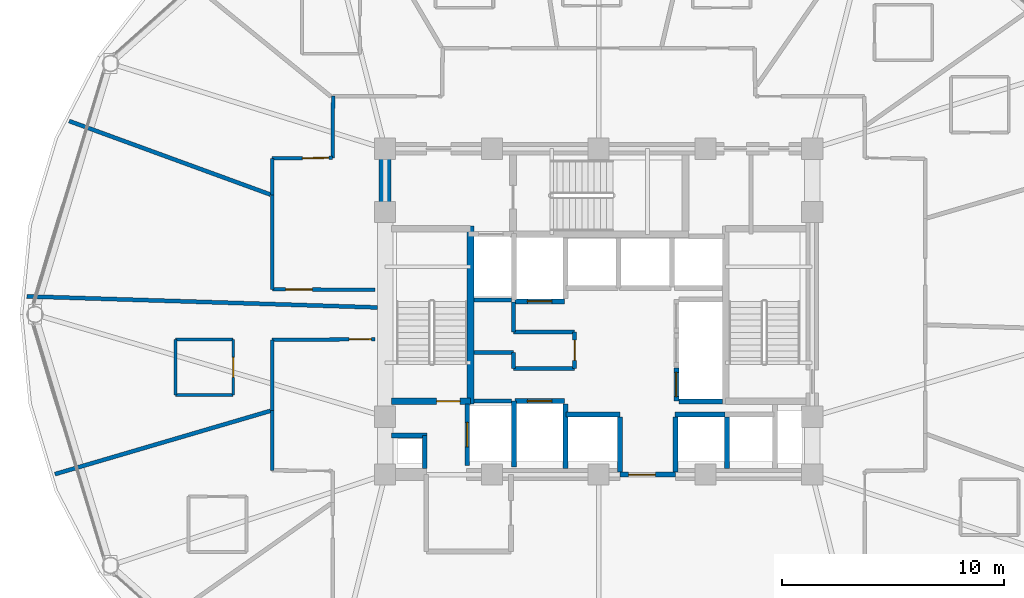
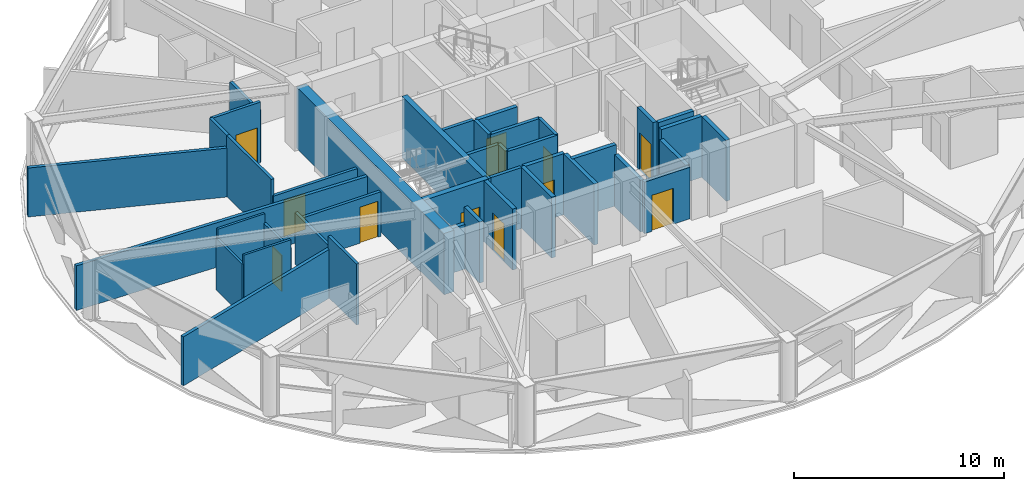
# One storey, part 24 of 31: 41 walls, 11 doors, 11 openings.
"""IFC4 building model written with IfcOpenShell, lengths in metres."""

from ifc_helpers import new_model, si_unit, direction, frame, frame_2d, origin, place, context, subcontext, project, spatial, rectangle, extrude, material, layer, layer_set, type_object, element, fill, save


model = new_model("IFC4")

# Units and contexts
model_context = context("Model", 3, precision=1e-05, world=origin(), true_north=direction((0.0, 1.0)))
body_context = subcontext(model_context, "Body", "Model", "MODEL_VIEW")
ifc_project = project(units=[si_unit("LENGTHUNIT", "METRE"), si_unit("AREAUNIT", "SQUARE_METRE"), si_unit("VOLUMEUNIT", "CUBIC_METRE"), si_unit("PLANEANGLEUNIT", "RADIAN"), si_unit("MASSUNIT", "GRAM", prefix="KILO")], contexts=[model_context])

# Site, building, storey
site_placement = place(None, origin())
site = spatial("IfcSite", under=ifc_project, at=site_placement, CompositionType="ELEMENT")
building_placement = place(site_placement, origin())
building = spatial("IfcBuilding", under=site, at=building_placement, Name="Vantalir Tower", CompositionType="ELEMENT")
storey_placement = place(building_placement, frame((0.0, 0.0, 115.949951171875)))
storey = spatial("IfcBuildingStorey", under=building, at=storey_placement, Name="L28", CompositionType="ELEMENT", Elevation=115.949951171875)

# Walls
ifc_material_1 = material(Name="Moisture-resistant en-suite partition", Category="gypsum")
ifc_layer_1 = layer(ifc_material_1, 0.125)
ifc_layer_set_1 = layer_set([ifc_layer_1], Name="Moisture-resistant en-suite partition")
wall_type_1 = type_object("IfcWallType", Name="WL-BATH-125", PredefinedType="PARTITIONING", material=ifc_layer_set_1)
for number, where, z_axis, x_axis, name in (
    (1, (12.469970703125, 21.3740234375, 0.0), (0.0, 0.0, 1.0), (1.0, 0.0, 0.0), "L28 En-suite 09 South Wall"),
    (2, (12.469970703125, 23.8740234375, 0.0), (0.0, 0.0, 1.0), (1.0, 0.0, 0.0), "L28 En-suite 09 North Wall"),
):
    element("IfcWall", number, at=place(storey_placement, frame(where, z_axis=z_axis, x_axis=x_axis)), inside=storey, type_object=wall_type_1, Name=name, PredefinedType="PARTITIONING", context=body_context, shape_type="SweptSolid", body=[
        extrude(rectangle(XDim=2.60009765625, YDim=0.125, at=frame_2d((1.300048828125, 0.0))), origin(), (0.0, 0.0, 1.0), 3.550048828125),
    ])
wall_1_placement = place(storey_placement, frame((12.469970703125, 21.3740234375, 0.0), z_axis=(0.0, 0.0, 1.0), x_axis=(0.0, 1.0, 0.0)))
element("IfcWall", 3, at=wall_1_placement, inside=storey, type_object=wall_type_1, Name="L28 En-suite 09 West Wall", PredefinedType="PARTITIONING", context=body_context, shape_type="SweptSolid", body=[
    extrude(rectangle(XDim=2.5, YDim=0.125, at=frame_2d((1.25, 0.0))), origin(), (0.0, 0.0, 1.0), 3.006103515625),
])

# Wall, opening, door
wall_2_placement = place(storey_placement, frame((15.070068359375, 21.3740234375, 0.0), z_axis=(0.0, 0.0, 1.0), x_axis=(0.0, 1.0, 0.0)))
wall_2 = element("IfcWall", 4, at=wall_2_placement, inside=storey, type_object=wall_type_1, Name="L28 En-suite 09 East Wall", PredefinedType="PARTITIONING", context=body_context, shape_type="SweptSolid", body=[
    extrude(rectangle(XDim=2.5, YDim=0.125, at=frame_2d((1.25, 0.0))), origin(), (0.0, 0.0, 1.0), 3.006103515625),
])
opening_1_placement = place(wall_2_placement, frame((0.800048828125, 0.0, 0.0)))
opening_1 = element("IfcOpeningElement", 5, at=opening_1_placement, cuts=wall_2, Name="Opening D-WC", PredefinedType="OPENING", context=body_context, shape_type="SweptSolid", body=[
    extrude(rectangle(XDim=0.89990234375, YDim=2.10009765625, at=frame_2d((0.449951171875, 1.050048828125))), frame((0.0, 0.072509765625, 0.0), z_axis=(0.0, -1.0, 0.0), x_axis=(1.0, 0.0, 0.0)), (0.0, 0.0, 1.0), 0.14501953125),
])
ifc_material_2 = material(Name="Moisture-resistant hardwood door", Category="wood")
door_type_1 = type_object("IfcDoorType", Name="DR-ENSUITE-900", OperationType="NOTDEFINED", PredefinedType="DOOR", material=ifc_material_2)
door_1_placement = place(opening_1_placement, origin())
door_1 = element("IfcDoor", 6, at=door_1_placement, inside=storey, type_object=door_type_1, Name="L28 En-suite 09 Door", OperationType="SINGLE_SWING_RIGHT", OverallHeight=2.10009765625, OverallWidth=0.89990234375, PredefinedType="DOOR", context=body_context, shape_type="SweptSolid", body=[
    extrude(rectangle(XDim=0.89990234375, YDim=2.10009765625, at=frame_2d((0.449951171875, 1.050048828125))), frame((0.0, 0.02490234375, 0.0), z_axis=(0.0, -1.0, 0.0), x_axis=(1.0, 0.0, 0.0)), (0.0, 0.0, 1.0), 0.050048828125),
])
fill(opening_1, door_1)

# Wall
ifc_material_3 = material(Name="Concrete C60/75", Category="concrete")
ifc_layer_2 = layer(ifc_material_3, 0.550048828125)
ifc_layer_set_2 = layer_set([ifc_layer_2], Name="Concrete C60/75")
wall_type_2 = type_object("IfcWallType", Name="WL-CORE-550", PredefinedType="SHEAR", material=ifc_layer_set_2)
wall_3_placement = place(storey_placement, frame((21.89990234375, 18.074951171875, 0.0), z_axis=(0.0, 0.0, 1.0), x_axis=(0.0, 1.0, 0.0)))
element("IfcWall", 7, at=wall_3_placement, inside=storey, type_object=wall_type_2, Name="L28 Core Shear Wall West", PredefinedType="SHEAR", context=body_context, shape_type="SweptSolid", body=[
    extrude(rectangle(XDim=14.10009765625, YDim=0.550048828125, at=frame_2d((7.050048828125, 0.0))), origin(), (0.0, 0.0, 1.0), 3.570068359375),
])

# Wall, opening, door
ifc_material_4 = material(Name="Fire-rated hotel corridor acoustic partition", Category="gypsum")
ifc_layer_3 = layer(ifc_material_4, 0.159912109375)
ifc_layer_set_3 = layer_set([ifc_layer_3], Name="Fire-rated hotel corridor acoustic partition")
wall_type_3 = type_object("IfcWallType", Name="WL-CORR-160", PredefinedType="PARTITIONING", material=ifc_layer_set_3)
wall_4_placement = place(storey_placement, frame((21.445068359375, 26.114990234375, 0.0), z_axis=(0.0, 0.0, 1.0), x_axis=(-0.999997648793, 0.002168503919, 0.0)))
wall_4 = element("IfcWall", 8, at=wall_4_placement, inside=storey, type_object=wall_type_3, Name="L28 Corridor Partition 01", PredefinedType="PARTITIONING", context=body_context, shape_type="SweptSolid", body=[
    extrude(rectangle(XDim=4.615966796875, YDim=0.159912109375, at=frame_2d((2.30810546875, 0.0))), origin(), (0.0, 0.0, 1.0), 2.594970703125),
])
opening_2_placement = place(wall_4_placement, frame((2.81396484375, 0.0, 0.0)))
opening_2 = element("IfcOpeningElement", 9, at=opening_2_placement, cuts=wall_4, Name="Opening D-STE", PredefinedType="OPENING", context=body_context, shape_type="SweptSolid", body=[
    extrude(rectangle(XDim=1.199951171875, YDim=2.10009765625, at=frame_2d((0.60009765625, 1.050048828125))), frame((0.0, 0.08984375, 0.0), z_axis=(0.0, -1.0, 0.0), x_axis=(1.0, 0.0, 0.0)), (0.0, 0.0, 1.0), 0.179931640625),
])
ifc_material_5 = material(Name="Solid-core teak veneer suite entrance door", Category="wood")
door_type_2 = type_object("IfcDoorType", Name="DR-SUITE-ENTRY-1200", OperationType="NOTDEFINED", PredefinedType="DOOR", material=ifc_material_5)
door_2_placement = place(opening_2_placement, origin())
door_2 = element("IfcDoor", 10, at=door_2_placement, inside=storey, type_object=door_type_2, Name="L28 Executive Sky Boardroom 08 Door", OperationType="SINGLE_SWING_LEFT", OverallHeight=2.10009765625, OverallWidth=1.199951171875, PredefinedType="DOOR", context=body_context, shape_type="SweptSolid", body=[
    extrude(rectangle(XDim=1.199951171875, YDim=2.10009765625, at=frame_2d((0.60009765625, 1.050048828125))), frame((0.0, 0.02490234375, 0.0), z_axis=(0.0, -1.0, 0.0), x_axis=(1.0, 0.0, 0.0)), (0.0, 0.0, 1.0), 0.050048828125),
])
fill(opening_2, door_2)

# Walls
wall_5_placement = place(storey_placement, frame((16.8291015625, 26.125, 0.0), z_axis=(0.0, 0.0, 1.0), x_axis=(-0.001210583076, 0.999999267244, 0.0)))
element("IfcWall", 11, at=wall_5_placement, inside=storey, type_object=wall_type_3, Name="L28 Corridor Partition 02", PredefinedType="PARTITIONING", context=body_context, shape_type="SweptSolid", body=[
    extrude(rectangle(XDim=4.235107421875, YDim=0.159912109375, at=frame_2d((2.11767578125, 0.0))), origin(), (0.0, 0.0, 1.0), 3.550048828125),
])
wall_6_placement = place(storey_placement, frame((16.823974609375, 30.360107421875, 0.0), z_axis=(0.0, 0.0, 1.0), x_axis=(-0.001182381674, 0.999999300987, 0.0)))
element("IfcWall", 12, at=wall_6_placement, inside=storey, type_object=wall_type_3, Name="L28 Corridor Partition 03", PredefinedType="PARTITIONING", context=body_context, shape_type="SweptSolid", body=[
    extrude(rectangle(XDim=1.65185546875, YDim=0.159912109375, at=frame_2d((0.825927734375, 0.0))), origin(), (0.0, 0.0, 1.0), 3.550048828125),
])

# Wall, opening, door
wall_7_placement = place(storey_placement, frame((16.822021484375, 32.011962890625, 0.0), z_axis=(0.0, 0.0, 1.0), x_axis=(0.99994645162, 0.010348617885, 0.0)))
wall_7 = element("IfcWall", 13, at=wall_7_placement, inside=storey, type_object=wall_type_3, Name="L28 Corridor Partition 04", PredefinedType="PARTITIONING", context=body_context, shape_type="SweptSolid", body=[
    extrude(rectangle(XDim=2.713134765625, YDim=0.159912109375, at=frame_2d((1.3564453125, 0.0))), origin(), (0.0, 0.0, 1.0), 3.550048828125),
])
opening_3_placement = place(wall_7_placement, frame((1.35302734375, 0.0, 0.0)))
opening_3 = element("IfcOpeningElement", 14, at=opening_3_placement, cuts=wall_7, Name="Opening D-STE", PredefinedType="OPENING", context=body_context, shape_type="SweptSolid", body=[
    extrude(rectangle(XDim=1.199951171875, YDim=2.10009765625, at=frame_2d((0.60009765625, 1.050048828125))), frame((0.0, 0.08984375, 0.0), z_axis=(0.0, -1.0, 0.0), x_axis=(1.0, 0.0, 0.0)), (0.0, 0.0, 1.0), 0.179931640625),
])
door_3_placement = place(opening_3_placement, origin())
door_3 = element("IfcDoor", 15, at=door_3_placement, inside=storey, type_object=door_type_2, Name="L28 Club Reading Lounge 07 Door", OperationType="SINGLE_SWING_RIGHT", OverallHeight=2.10009765625, OverallWidth=1.199951171875, PredefinedType="DOOR", context=body_context, shape_type="SweptSolid", body=[
    extrude(rectangle(XDim=1.199951171875, YDim=2.10009765625, at=frame_2d((0.60009765625, 1.050048828125))), frame((0.0, 0.02490234375, 0.0), z_axis=(0.0, -1.0, 0.0), x_axis=(1.0, 0.0, 0.0)), (0.0, 0.0, 1.0), 0.050048828125),
])
fill(opening_3, door_3)

# Walls
wall_8_placement = place(storey_placement, frame((19.534912109375, 32.0400390625, 0.0), z_axis=(0.0, 0.0, 1.0), x_axis=(0.009071319538, 0.999958854734, 0.0)))
element("IfcWall", 16, at=wall_8_placement, inside=storey, type_object=wall_type_3, Name="L28 Corridor Partition 05", PredefinedType="PARTITIONING", context=body_context, shape_type="SweptSolid", body=[
    extrude(rectangle(XDim=2.77197265625, YDim=0.159912109375, at=frame_2d((1.385986328125, 0.0))), origin(), (0.0, 0.0, 1.0), 3.006103515625),
])
wall_9_placement = place(storey_placement, frame((16.821044921875, 17.991943359375, 0.0), z_axis=(0.0, 0.0, 1.0), x_axis=(0.0, 1.0, 0.0)))
element("IfcWall", 17, at=wall_9_placement, inside=storey, type_object=wall_type_3, Name="L28 Corridor Partition 31", PredefinedType="PARTITIONING", context=body_context, shape_type="SweptSolid", body=[
    extrude(rectangle(XDim=2.697021484375, YDim=0.159912109375, at=frame_2d((1.3486328125, 0.0))), origin(), (0.0, 0.0, 1.0), 3.550048828125),
])
wall_10_placement = place(storey_placement, frame((16.821044921875, 20.68896484375, 0.0), z_axis=(0.0, 0.0, 1.0), x_axis=(0.0, 1.0, 0.0)))
element("IfcWall", 18, at=wall_10_placement, inside=storey, type_object=wall_type_3, Name="L28 Corridor Partition 32", PredefinedType="PARTITIONING", context=body_context, shape_type="SweptSolid", body=[
    extrude(rectangle(XDim=3.1689453125, YDim=0.159912109375, at=frame_2d((1.58447265625, 0.0))), origin(), (0.0, 0.0, 1.0), 3.006103515625),
])

# Wall, opening, door
wall_11_placement = place(storey_placement, frame((16.821044921875, 23.85791015625, 0.0), z_axis=(0.0, 0.0, 1.0), x_axis=(0.999984042413, 0.005649329067, 0.0)))
wall_11 = element("IfcWall", 19, at=wall_11_placement, inside=storey, type_object=wall_type_3, Name="L28 Corridor Partition 33", PredefinedType="PARTITIONING", context=body_context, shape_type="SweptSolid", body=[
    extrude(rectangle(XDim=4.6240234375, YDim=0.159912109375, at=frame_2d((2.31201171875, 0.0))), origin(), (0.0, 0.0, 1.0), 2.594970703125),
])
opening_4_placement = place(wall_11_placement, frame((3.464111328125, 0.0, 0.0)))
opening_4 = element("IfcOpeningElement", 20, at=opening_4_placement, cuts=wall_11, Name="Opening D-GUEST", PredefinedType="OPENING", context=body_context, shape_type="SweptSolid", body=[
    extrude(rectangle(XDim=1.0, YDim=2.10009765625, at=frame_2d((0.5, 1.050048828125))), frame((0.0, 0.08984375, 0.0), z_axis=(0.0, -1.0, 0.0), x_axis=(1.0, 0.0, 0.0)), (0.0, 0.0, 1.0), 0.179931640625),
])
ifc_material_6 = material(Name="Solid-core teak veneer acoustic fire door", Category="wood")
door_type_3 = type_object("IfcDoorType", Name="DR-GUEST-ENTRY-1000", OperationType="NOTDEFINED", PredefinedType="DOOR", material=ifc_material_6)
door_4_placement = place(opening_4_placement, origin())
door_4 = element("IfcDoor", 21, at=door_4_placement, inside=storey, type_object=door_type_3, Name="L28 Twin Queen Hotel Room 09 Door", OperationType="SINGLE_SWING_RIGHT", OverallHeight=2.10009765625, OverallWidth=1.0, PredefinedType="DOOR", context=body_context, shape_type="SweptSolid", body=[
    extrude(rectangle(XDim=1.0, YDim=2.10009765625, at=frame_2d((0.5, 1.050048828125))), frame((0.0, 0.02490234375, 0.0), z_axis=(0.0, -1.0, 0.0), x_axis=(1.0, 0.0, 0.0)), (0.0, 0.0, 1.0), 0.050048828125),
])
fill(opening_4, door_4)

# Walls
ifc_material_7 = material(Name="Concrete blockwork with fireboard lining", Category="masonry")
ifc_layer_4 = layer(ifc_material_7, 0.219970703125)
ifc_layer_set_4 = layer_set([ifc_layer_4], Name="Concrete blockwork with fireboard lining")
wall_type_4 = type_object("IfcWallType", Name="WL-FFL-220", PredefinedType="PARTITIONING", material=ifc_layer_set_4)
wall_12_placement = place(storey_placement, frame((30.0, 18.080078125, 0.0), z_axis=(0.0, 0.0, 1.0), x_axis=(0.0, 1.0, 0.0)))
element("IfcWall", 22, at=wall_12_placement, inside=storey, type_object=wall_type_4, Name="L28 Service Lift SV1 East Shaft Wall", PredefinedType="PARTITIONING", context=body_context, shape_type="SweptSolid", body=[
    extrude(rectangle(XDim=2.89990234375, YDim=0.219970703125, at=frame_2d((1.449951171875, 0.0))), origin(), (0.0, 0.0, 1.0), 3.545166015625),
])
for number, where, z_axis, x_axis, name in (
    (23, (32.449951171875, 17.919921875, 0.0), (0.0, 0.0, 1.0), (0.0, 1.0, 0.0), "L28 Shuttle Lift PL-X1 East Shaft Cheek"),
    (24, (34.949951171875, 17.919921875, 0.0), (0.0, 0.0, 1.0), (0.0, 1.0, 0.0), "L28 Shuttle Lift PL-X3 West Shaft Cheek"),
):
    element("IfcWall", number, at=place(storey_placement, frame(where, z_axis=z_axis, x_axis=x_axis)), inside=storey, type_object=wall_type_4, Name=name, PredefinedType="PARTITIONING", context=body_context, shape_type="SweptSolid", body=[
        extrude(rectangle(XDim=2.469970703125, YDim=0.219970703125, at=frame_2d((1.23486328125, 0.0))), origin(), (0.0, 0.0, 1.0), 3.006103515625),
    ])
wall_13_placement = place(storey_placement, frame((37.27490234375, 18.080078125, 0.0), z_axis=(0.0, 0.0, 1.0), x_axis=(0.0, 1.0, 0.0)))
element("IfcWall", 25, at=wall_13_placement, inside=storey, type_object=wall_type_4, Name="L28 Shuttle Lift PL-X2/X3 Shaft Divider", PredefinedType="PARTITIONING", context=body_context, shape_type="SweptSolid", body=[
    extrude(rectangle(XDim=2.309814453125, YDim=0.219970703125, at=frame_2d((1.15478515625, 0.0))), origin(), (0.0, 0.0, 1.0), 3.545166015625),
])

# Wall, opening, door
wall_14_placement = place(storey_placement, frame((32.449951171875, 17.800048828125, 0.0), z_axis=(0.0, 0.0, 1.0), x_axis=(1.0, 0.0, 0.0)))
wall_14 = element("IfcWall", 26, at=wall_14_placement, inside=storey, type_object=wall_type_4, Name="L28 Passenger Lift Lobby South Wall", PredefinedType="PARTITIONING", context=body_context, shape_type="SweptSolid", body=[
    extrude(rectangle(XDim=2.5, YDim=0.219970703125, at=frame_2d((1.25, 0.0))), origin(), (0.0, 0.0, 1.0), 3.006103515625),
])
opening_5_placement = place(wall_14_placement, frame((0.39990234375, 0.0, 0.0)))
opening_5 = element("IfcOpeningElement", 27, at=opening_5_placement, cuts=wall_14, Name="Opening D-STE", PredefinedType="OPENING", context=body_context, shape_type="SweptSolid", body=[
    extrude(rectangle(XDim=1.199951171875, YDim=2.10009765625, at=frame_2d((0.60009765625, 1.050048828125))), frame((0.0, 0.119873046875, 0.0), z_axis=(0.0, -1.0, 0.0), x_axis=(1.0, 0.0, 0.0)), (0.0, 0.0, 1.0), 0.239990234375),
])
door_5_placement = place(opening_5_placement, origin())
door_5 = element("IfcDoor", 28, at=door_5_placement, inside=storey, type_object=door_type_2, Name="L28 Passenger Lift Lobby Concourse Door", OperationType="SINGLE_SWING_LEFT", OverallHeight=2.10009765625, OverallWidth=1.199951171875, PredefinedType="DOOR", context=body_context, shape_type="SweptSolid", body=[
    extrude(rectangle(XDim=1.199951171875, YDim=2.10009765625, at=frame_2d((0.60009765625, 1.050048828125))), frame((0.0, 0.02490234375, 0.0), z_axis=(0.0, -1.0, 0.0), x_axis=(1.0, 0.0, 0.0)), (0.0, 0.0, 1.0), 0.050048828125),
])
fill(opening_5, door_5)

# Walls
wall_15_placement = place(storey_placement, frame((23.679931640625, 18.074951171875, 0.0), z_axis=(0.0, 0.0, 1.0), x_axis=(0.0, 1.0, 0.0)))
element("IfcWall", 29, at=wall_15_placement, inside=storey, type_object=wall_type_4, Name="L28 West MEP Riser Wall E", PredefinedType="PARTITIONING", context=body_context, shape_type="SweptSolid", body=[
    extrude(rectangle(XDim=1.47509765625, YDim=0.219970703125, at=frame_2d((0.737548828125, 0.0))), origin(), (0.0, 0.0, 1.0), 3.550048828125),
])
wall_16_placement = place(storey_placement, frame((22.175048828125, 19.550048828125, 0.0), z_axis=(0.0, 0.0, 1.0), x_axis=(1.0, 0.0, 0.0)))
element("IfcWall", 30, at=wall_16_placement, inside=storey, type_object=wall_type_4, Name="L28 West MEP Riser Wall N", PredefinedType="PARTITIONING", context=body_context, shape_type="SweptSolid", body=[
    extrude(rectangle(XDim=1.614990234375, YDim=0.219970703125, at=frame_2d((0.8076171875, 0.0))), origin(), (0.0, 0.0, 1.0), 2.594970703125),
])

# Wall, opening, door
wall_17_placement = place(storey_placement, frame((25.590087890625, 18.219970703125, 0.0), z_axis=(0.0, 0.0, 1.0), x_axis=(0.0, 1.0, 0.0)))
wall_17 = element("IfcWall", 31, at=wall_17_placement, inside=storey, type_object=wall_type_4, Name="L28 Lift FL1 Shaft Front Wall", PredefinedType="PARTITIONING", context=body_context, shape_type="SweptSolid", body=[
    extrude(rectangle(XDim=2.760009765625, YDim=0.219970703125, at=frame_2d((1.3798828125, 0.0))), origin(), (0.0, 0.0, 1.0), 3.550048828125),
])
opening_6_placement = place(wall_17_placement, frame((0.830078125, 0.0, 0.0)))
opening_6 = element("IfcOpeningElement", 32, at=opening_6_placement, cuts=wall_17, Name="Opening LD-FL1", PredefinedType="OPENING", context=body_context, shape_type="SweptSolid", body=[
    extrude(rectangle(XDim=1.10009765625, YDim=2.199951171875, at=frame_2d((0.550048828125, 1.10009765625))), frame((0.0, 0.119873046875, 0.0), z_axis=(0.0, -1.0, 0.0), x_axis=(1.0, 0.0, 0.0)), (0.0, 0.0, 1.0), 0.239990234375),
])
ifc_material_8 = material(Name="Brushed stainless-steel sliding lift landing door", Category="steel")
door_type_4 = type_object("IfcDoorType", Name="DR-LIFT-LANDING-1100", OperationType="DOUBLE_DOOR_SLIDING", PredefinedType="DOOR", material=ifc_material_8)
door_6_placement = place(opening_6_placement, origin())
door_6 = element("IfcDoor", 33, at=door_6_placement, inside=storey, type_object=door_type_4, Name="L28 Lift Landing Door FL1", OperationType="DOUBLE_DOOR_SLIDING", OverallHeight=2.199951171875, OverallWidth=1.10009765625, PredefinedType="DOOR", context=body_context, shape_type="SweptSolid", body=[
    extrude(rectangle(XDim=1.10009765625, YDim=2.199951171875, at=frame_2d((0.550048828125, 1.10009765625))), frame((0.0, 0.02490234375, 0.0), z_axis=(0.0, -1.0, 0.0), x_axis=(1.0, 0.0, 0.0)), (0.0, 0.0, 1.0), 0.050048828125),
])
fill(opening_6, door_6)

wall_18_placement = place(storey_placement, frame((27.739990234375, 21.110107421875, 0.0), z_axis=(0.0, 0.0, 1.0), x_axis=(1.0, 0.0, 0.0)))
wall_18 = element("IfcWall", 34, at=wall_18_placement, inside=storey, type_object=wall_type_4, Name="L28 Lift SV1 Shaft Front Wall", PredefinedType="PARTITIONING", context=body_context, shape_type="SweptSolid", body=[
    extrude(rectangle(XDim=2.219970703125, YDim=0.219970703125, at=frame_2d((1.10986328125, 0.0))), origin(), (0.0, 0.0, 1.0), 3.550048828125),
])
opening_7_placement = place(wall_18_placement, frame((0.56005859375, 0.0, 0.0)))
opening_7 = element("IfcOpeningElement", 35, at=opening_7_placement, cuts=wall_18, Name="Opening LD-SV1", PredefinedType="OPENING", context=body_context, shape_type="SweptSolid", body=[
    extrude(rectangle(XDim=1.10009765625, YDim=2.199951171875, at=frame_2d((0.550048828125, 1.10009765625))), frame((0.0, 0.119873046875, 0.0), z_axis=(0.0, -1.0, 0.0), x_axis=(1.0, 0.0, 0.0)), (0.0, 0.0, 1.0), 0.239990234375),
])
door_7_placement = place(opening_7_placement, origin())
door_7 = element("IfcDoor", 36, at=door_7_placement, inside=storey, type_object=door_type_4, Name="L28 Lift Landing Door SV1", OperationType="DOUBLE_DOOR_SLIDING", OverallHeight=2.199951171875, OverallWidth=1.10009765625, PredefinedType="DOOR", context=body_context, shape_type="SweptSolid", body=[
    extrude(rectangle(XDim=1.10009765625, YDim=2.199951171875, at=frame_2d((0.550048828125, 1.10009765625))), frame((0.0, 0.02490234375, 0.0), z_axis=(0.0, -1.0, 0.0), x_axis=(1.0, 0.0, 0.0)), (0.0, 0.0, 1.0), 0.050048828125),
])
fill(opening_7, door_7)

wall_19_placement = place(storey_placement, frame((27.739990234375, 25.590087890625, 0.0), z_axis=(0.0, 0.0, 1.0), x_axis=(1.0, 0.0, 0.0)))
wall_19 = element("IfcWall", 37, at=wall_19_placement, inside=storey, type_object=wall_type_4, Name="L28 Lift SV2 Shaft Front Wall", PredefinedType="PARTITIONING", context=body_context, shape_type="SweptSolid", body=[
    extrude(rectangle(XDim=2.219970703125, YDim=0.219970703125, at=frame_2d((1.10986328125, 0.0))), origin(), (0.0, 0.0, 1.0), 3.550048828125),
])
opening_8_placement = place(wall_19_placement, frame((0.56005859375, 0.0, 0.0)))
opening_8 = element("IfcOpeningElement", 38, at=opening_8_placement, cuts=wall_19, Name="Opening LD-SV2", PredefinedType="OPENING", context=body_context, shape_type="SweptSolid", body=[
    extrude(rectangle(XDim=1.10009765625, YDim=2.199951171875, at=frame_2d((0.550048828125, 1.10009765625))), frame((0.0, 0.119873046875, 0.0), z_axis=(0.0, -1.0, 0.0), x_axis=(1.0, 0.0, 0.0)), (0.0, 0.0, 1.0), 0.239990234375),
])
door_8_placement = place(opening_8_placement, frame((1.10009765625, 0.0, 0.0), z_axis=(0.0, 0.0, 1.0), x_axis=(-1.0, 0.0, 0.0)))
door_8 = element("IfcDoor", 39, at=door_8_placement, inside=storey, type_object=door_type_4, Name="L28 Lift Landing Door SV2", OperationType="DOUBLE_DOOR_SLIDING", OverallHeight=2.199951171875, OverallWidth=1.10009765625, PredefinedType="DOOR", context=body_context, shape_type="SweptSolid", body=[
    extrude(rectangle(XDim=1.10009765625, YDim=2.199951171875, at=frame_2d((0.550048828125, 1.10009765625))), frame((0.0, 0.02490234375, 0.0), z_axis=(0.0, -1.0, 0.0), x_axis=(1.0, 0.0, 0.0)), (0.0, 0.0, 1.0), 0.050048828125),
])
fill(opening_8, door_8)

# Walls
wall_20_placement = place(storey_placement, frame((30.0400390625, 20.510009765625, 0.0), z_axis=(0.0, 0.0, 1.0), x_axis=(1.0, 0.0, 0.0)))
element("IfcWall", 40, at=wall_20_placement, inside=storey, type_object=wall_type_4, Name="L28 Lift PL-X1 Shaft Front Wall", PredefinedType="PARTITIONING", context=body_context, shape_type="SweptSolid", body=[
    extrude(rectangle(XDim=2.419921875, YDim=0.219970703125, at=frame_2d((1.2099609375, 0.0))), origin(), (0.0, 0.0, 1.0), 3.550048828125),
])
wall_21_placement = place(storey_placement, frame((34.93994140625, 20.510009765625, 0.0), z_axis=(0.0, 0.0, 1.0), x_axis=(1.0, 0.0, 0.0)))
element("IfcWall", 41, at=wall_21_placement, inside=storey, type_object=wall_type_4, Name="L28 Lift PL-X3 Shaft Front Wall", PredefinedType="PARTITIONING", context=body_context, shape_type="SweptSolid", body=[
    extrude(rectangle(XDim=2.239990234375, YDim=0.219970703125, at=frame_2d((1.1201171875, 0.0))), origin(), (0.0, 0.0, 1.0), 3.550048828125),
])

# Wall, opening, door
wall_22_placement = place(storey_placement, frame((34.989990234375, 21.10009765625, 0.0), z_axis=(0.0, 0.0, 1.0), x_axis=(0.0, 1.0, 0.0)))
wall_22 = element("IfcWall", 42, at=wall_22_placement, inside=storey, type_object=wall_type_4, Name="L28 Lift PL-M1 Shaft Front Wall", PredefinedType="PARTITIONING", context=body_context, shape_type="SweptSolid", body=[
    extrude(rectangle(XDim=1.5, YDim=0.219970703125, at=frame_2d((0.75, 0.0))), origin(), (0.0, 0.0, 1.0), 3.550048828125),
])
opening_9_placement = place(wall_22_placement, frame((0.199951171875, 0.0, 0.0)))
opening_9 = element("IfcOpeningElement", 43, at=opening_9_placement, cuts=wall_22, Name="Opening LD-PL-M1", PredefinedType="OPENING", context=body_context, shape_type="SweptSolid", body=[
    extrude(rectangle(XDim=1.10009765625, YDim=2.199951171875, at=frame_2d((0.550048828125, 1.10009765625))), frame((0.0, 0.119873046875, 0.0), z_axis=(0.0, -1.0, 0.0), x_axis=(1.0, 0.0, 0.0)), (0.0, 0.0, 1.0), 0.239990234375),
])
door_9_placement = place(opening_9_placement, origin())
door_9 = element("IfcDoor", 44, at=door_9_placement, inside=storey, type_object=door_type_4, Name="L28 Lift Landing Door PL-M1", OperationType="DOUBLE_DOOR_SLIDING", OverallHeight=2.199951171875, OverallWidth=1.10009765625, PredefinedType="DOOR", context=body_context, shape_type="SweptSolid", body=[
    extrude(rectangle(XDim=1.10009765625, YDim=2.199951171875, at=frame_2d((0.550048828125, 1.10009765625))), frame((0.0, 0.02490234375, 0.0), z_axis=(0.0, -1.0, 0.0), x_axis=(1.0, 0.0, 0.0)), (0.0, 0.0, 1.0), 0.050048828125),
])
fill(opening_9, door_9)

# Walls
wall_23_placement = place(storey_placement, frame((27.699951171875, 18.14990234375, 0.0), z_axis=(0.0, 0.0, 1.0), x_axis=(0.0, 1.0, 0.0)))
element("IfcWall", 45, at=wall_23_placement, inside=storey, type_object=wall_type_4, Name="L28 Fire Lift FL1 Dividing Wall", PredefinedType="PARTITIONING", context=body_context, shape_type="SweptSolid", body=[
    extrude(rectangle(XDim=2.9501953125, YDim=0.219970703125, at=frame_2d((1.47509765625, 0.0))), origin(), (0.0, 0.0, 1.0), 3.550048828125),
])
wall_24_placement = place(storey_placement, frame((35.1201171875, 21.080078125, 0.0), z_axis=(0.0, 0.0, 1.0), x_axis=(1.0, 0.0, 0.0)))
element("IfcWall", 46, at=wall_24_placement, inside=storey, type_object=wall_type_4, Name="L28 Mid-Rise Bank South Wall", PredefinedType="PARTITIONING", context=body_context, shape_type="SweptSolid", body=[
    extrude(rectangle(XDim=1.93994140625, YDim=0.219970703125, at=frame_2d((0.969970703125, 0.0))), origin(), (0.0, 0.0, 1.0), 3.550048828125),
])
ifc_material_9 = material(Name="Twin-stud acoustic fire-rated gypsum partition", Category="gypsum")
ifc_layer_5 = layer(ifc_material_9, 0.179931640625)
ifc_layer_set_5 = layer_set([ifc_layer_5], Name="Twin-stud acoustic fire-rated gypsum partition")
wall_type_5 = type_object("IfcWallType", Name="WL-GUEST-180", PredefinedType="PARTITIONING", material=ifc_layer_set_5)
for number, where, z_axis, x_axis, name in (
    (47, (25.889892578125, 21.10009765625, 0.0), (0.0, 0.0, 1.0), (1.0, 0.0, 0.0), "L28 Freed West Core South Wall"),
    (48, (25.889892578125, 25.64990234375, 0.0), (0.0, 0.0, 1.0), (1.0, 0.0, 0.0), "L28 Freed West Core North Wall"),
):
    element("IfcWall", number, at=place(storey_placement, frame(where, z_axis=z_axis, x_axis=x_axis)), inside=storey, type_object=wall_type_5, Name=name, PredefinedType="PARTITIONING", context=body_context, shape_type="SweptSolid", body=[
        extrude(rectangle(XDim=1.7001953125, YDim=0.179931640625, at=frame_2d((0.85009765625, 0.0))), origin(), (0.0, 0.0, 1.0), 3.550048828125),
    ])
wall_25_placement = place(storey_placement, frame((25.889892578125, 23.300048828125, 0.0), z_axis=(0.0, 0.0, 1.0), x_axis=(1.0, 0.0, 0.0)))
element("IfcWall", 49, at=wall_25_placement, inside=storey, type_object=wall_type_5, Name="L28 West Linen South-West Wall", PredefinedType="PARTITIONING", context=body_context, shape_type="SweptSolid", body=[
    extrude(rectangle(XDim=1.7900390625, YDim=0.179931640625, at=frame_2d((0.89501953125, 0.0))), origin(), (0.0, 0.0, 1.0), 3.550048828125),
])
wall_26_placement = place(storey_placement, frame((27.679931640625, 22.580078125, 0.0), z_axis=(0.0, 0.0, 1.0), x_axis=(0.0, 1.0, 0.0)))
element("IfcWall", 50, at=wall_26_placement, inside=storey, type_object=wall_type_5, Name="L28 West Linen Step Wall", PredefinedType="PARTITIONING", context=body_context, shape_type="SweptSolid", body=[
    extrude(rectangle(XDim=0.719970703125, YDim=0.179931640625, at=frame_2d((0.35986328125, 0.0))), origin(), (0.0, 0.0, 1.0), 3.550048828125),
])
wall_27_placement = place(storey_placement, frame((27.679931640625, 22.580078125, 0.0), z_axis=(0.0, 0.0, 1.0), x_axis=(1.0, 0.0, 0.0)))
element("IfcWall", 51, at=wall_27_placement, inside=storey, type_object=wall_type_5, Name="L28 West Linen Alcove South Wall", PredefinedType="PARTITIONING", context=body_context, shape_type="SweptSolid", body=[
    extrude(rectangle(XDim=2.739990234375, YDim=0.179931640625, at=frame_2d((1.3701171875, 0.0))), origin(), (0.0, 0.0, 1.0), 3.550048828125),
])

# Wall, opening, door
wall_28_placement = place(storey_placement, frame((30.419921875, 22.580078125, 0.0), z_axis=(0.0, 0.0, 1.0), x_axis=(0.0, 1.0, 0.0)))
wall_28 = element("IfcWall", 52, at=wall_28_placement, inside=storey, type_object=wall_type_5, Name="L28 West Linen Alcove East Wall", PredefinedType="PARTITIONING", context=body_context, shape_type="SweptSolid", body=[
    extrude(rectangle(XDim=1.619873046875, YDim=0.179931640625, at=frame_2d((0.81005859375, 0.0))), origin(), (0.0, 0.0, 1.0), 3.550048828125),
])
opening_10_placement = place(wall_28_placement, frame((0.360107421875, 0.0, 0.0)))
opening_10 = element("IfcOpeningElement", 53, at=opening_10_placement, cuts=wall_28, Name="Opening D-CR", PredefinedType="OPENING", context=body_context, shape_type="SweptSolid", body=[
    extrude(rectangle(XDim=0.89990234375, YDim=2.10009765625, at=frame_2d((0.449951171875, 1.050048828125))), frame((0.0, 0.099853515625, 0.0), z_axis=(0.0, -1.0, 0.0), x_axis=(1.0, 0.0, 0.0)), (0.0, 0.0, 1.0), 0.199951171875),
])
ifc_material_10 = material(Name="Fire-rated steel core service door", Category="steel")
door_type_5 = type_object("IfcDoorType", Name="DR-CORE-SERV-900", OperationType="NOTDEFINED", PredefinedType="DOOR", material=ifc_material_10)
door_10_placement = place(opening_10_placement, origin())
door_10 = element("IfcDoor", 54, at=door_10_placement, inside=storey, type_object=door_type_5, Name="L28 Core Linen Store Door", OperationType="SINGLE_SWING_LEFT", OverallHeight=2.10009765625, OverallWidth=0.89990234375, PredefinedType="DOOR", context=body_context, shape_type="SweptSolid", body=[
    extrude(rectangle(XDim=0.89990234375, YDim=2.10009765625, at=frame_2d((0.449951171875, 1.050048828125))), frame((0.0, 0.02490234375, 0.0), z_axis=(0.0, -1.0, 0.0), x_axis=(1.0, 0.0, 0.0)), (0.0, 0.0, 1.0), 0.050048828125),
])
fill(opening_10, door_10)

# Walls
wall_29_placement = place(storey_placement, frame((27.679931640625, 24.199951171875, 0.0), z_axis=(0.0, 0.0, 1.0), x_axis=(1.0, 0.0, 0.0)))
element("IfcWall", 55, at=wall_29_placement, inside=storey, type_object=wall_type_5, Name="L28 West Linen Alcove North Wall", PredefinedType="PARTITIONING", context=body_context, shape_type="SweptSolid", body=[
    extrude(rectangle(XDim=2.739990234375, YDim=0.179931640625, at=frame_2d((1.3701171875, 0.0))), origin(), (0.0, 0.0, 1.0), 3.550048828125),
])
wall_30_placement = place(storey_placement, frame((27.679931640625, 24.199951171875, 0.0), z_axis=(0.0, 0.0, 1.0), x_axis=(0.0, 1.0, 0.0)))
element("IfcWall", 56, at=wall_30_placement, inside=storey, type_object=wall_type_5, Name="L28 West Linen Upper East Wall", PredefinedType="PARTITIONING", context=body_context, shape_type="SweptSolid", body=[
    extrude(rectangle(XDim=1.360107421875, YDim=0.179931640625, at=frame_2d((0.68017578125, 0.0))), origin(), (0.0, 0.0, 1.0), 3.550048828125),
])
wall_31_placement = place(storey_placement, frame((16.7451171875, 30.388916015625, 0.0), z_axis=(0.0, 0.0, 1.0), x_axis=(-0.939305605138, 0.34308159402, 0.0)))
element("IfcWall", 57, at=wall_31_placement, inside=storey, type_object=wall_type_5, Name="L28 Radial Suite Partition 08", PredefinedType="PARTITIONING", context=body_context, shape_type="SweptSolid", body=[
    extrude(rectangle(XDim=9.6337890625, YDim=0.179931640625, at=frame_2d((4.81689453125, 0.0))), origin(), (0.0, 0.0, 1.0), 2.85107421875),
])
wall_32_placement = place(storey_placement, frame((21.550048828125, 25.31396484375, 0.0), z_axis=(0.0, 0.0, 1.0), x_axis=(-0.999502985772, 0.031524299088, 0.0)))
element("IfcWall", 58, at=wall_32_placement, inside=storey, type_object=wall_type_5, Name="L28 Radial Suite Partition 09", PredefinedType="PARTITIONING", context=body_context, shape_type="SweptSolid", body=[
    extrude(rectangle(XDim=15.767822265625, YDim=0.179931640625, at=frame_2d((7.8837890625, 0.0))), origin(), (0.0, 0.0, 1.0), 2.594970703125),
])
wall_33_placement = place(storey_placement, frame((16.7451171875, 20.666015625, 0.0), z_axis=(0.0, 0.0, 1.0), x_axis=(-0.959486307389, -0.281755258927, 0.0)))
element("IfcWall", 59, at=wall_33_placement, inside=storey, type_object=wall_type_5, Name="L28 Radial Suite Partition 10", PredefinedType="PARTITIONING", context=body_context, shape_type="SweptSolid", body=[
    extrude(rectangle(XDim=10.097412109375, YDim=0.179931640625, at=frame_2d((5.048828125, 0.0))), origin(), (0.0, 0.0, 1.0), 2.85107421875),
])

# Wall, opening, door
ifc_material_11 = material(Name="Concrete C50/60", Category="concrete")
ifc_layer_6 = layer(ifc_material_11, 0.300048828125)
ifc_layer_set_6 = layer_set([ifc_layer_6], Name="Concrete C50/60")
wall_type_6 = type_object("IfcWallType", Name="WL-STAIR-300", PredefinedType="SHEAR", material=ifc_layer_set_6)
wall_34_placement = place(storey_placement, frame((22.175048828125, 21.10009765625, 0.0), z_axis=(0.0, 0.0, 1.0), x_axis=(1.0, 0.0, 0.0)))
wall_34 = element("IfcWall", 60, at=wall_34_placement, inside=storey, type_object=wall_type_6, Name="L28 Stair ST1 South Wall", PredefinedType="SHEAR", context=body_context, shape_type="SweptSolid", body=[
    extrude(rectangle(XDim=3.56494140625, YDim=0.300048828125, at=frame_2d((1.782470703125, 0.0))), origin(), (0.0, 0.0, 1.0), 3.570068359375),
])
opening_11_placement = place(wall_34_placement, frame((2.044921875, 0.0, 0.0)))
opening_11 = element("IfcOpeningElement", 61, at=opening_11_placement, cuts=wall_34, Name="Opening D-ST", PredefinedType="OPENING", context=body_context, shape_type="SweptSolid", body=[
    extrude(rectangle(XDim=1.050048828125, YDim=2.10009765625, at=frame_2d((0.52490234375, 1.050048828125))), frame((0.0, 0.159912109375, 0.0), z_axis=(0.0, -1.0, 0.0), x_axis=(1.0, 0.0, 0.0)), (0.0, 0.0, 1.0), 0.320068359375),
])
ifc_material_12 = material(Name="Fire-rated steel door leaf", Category="steel")
door_type_6 = type_object("IfcDoorType", Name="DR-FIRE-STAIR-1050", OperationType="NOTDEFINED", PredefinedType="DOOR", material=ifc_material_12)
door_11_placement = place(opening_11_placement, origin())
door_11 = element("IfcDoor", 62, at=door_11_placement, inside=storey, type_object=door_type_6, Name="L28 Exit Stair ST1 Fire Door", OperationType="SINGLE_SWING_LEFT", OverallHeight=2.10009765625, OverallWidth=1.050048828125, PredefinedType="DOOR", context=body_context, shape_type="SweptSolid", body=[
    extrude(rectangle(XDim=1.050048828125, YDim=2.10009765625, at=frame_2d((0.52490234375, 1.050048828125))), frame((0.0, 0.02490234375, 0.0), z_axis=(0.0, -1.0, 0.0), x_axis=(1.0, 0.0, 0.0)), (0.0, 0.0, 1.0), 0.050048828125),
])
fill(opening_11, door_11)

# Wall
wall_35_placement = place(storey_placement, frame((25.739990234375, 20.97998046875, 0.0), z_axis=(0.0, 0.0, 1.0), x_axis=(0.0, 1.0, 0.0)))
element("IfcWall", 63, at=wall_35_placement, inside=storey, type_object=wall_type_6, Name="L28 Stair ST1 East Wall", PredefinedType="SHEAR", context=body_context, shape_type="SweptSolid", body=[
    extrude(rectangle(XDim=7.989990234375, YDim=0.300048828125, at=frame_2d((3.9951171875, 0.0))), origin(), (0.0, 0.0, 1.0), 3.570068359375),
])

save(model, "model.ifc")
